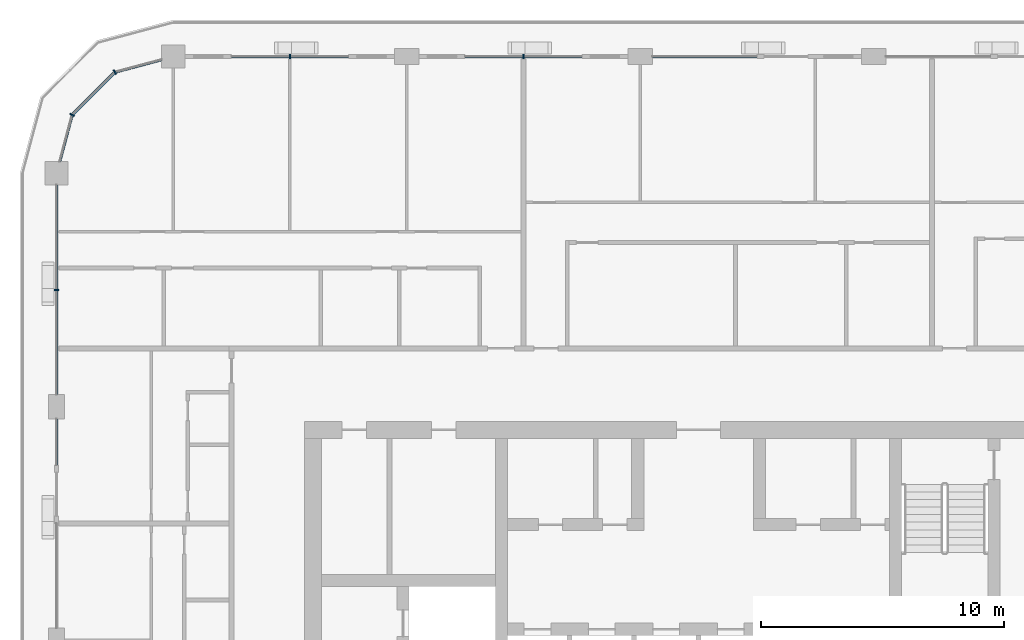
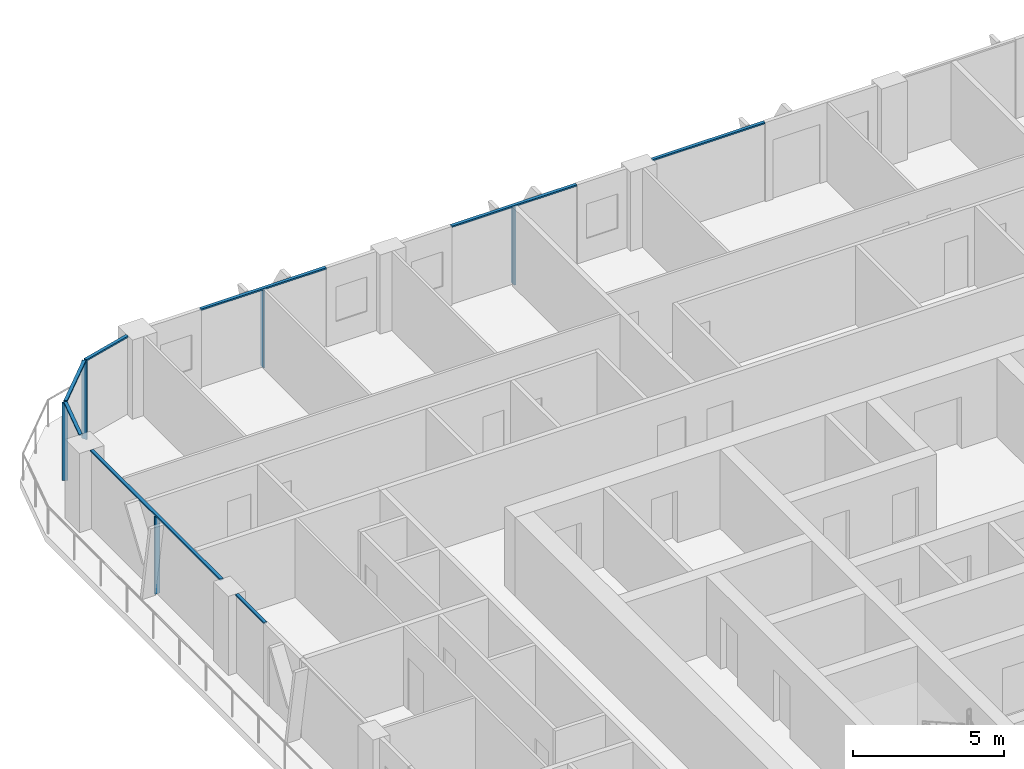
# One storey, part 5 of 23: 13 members, 6 elements without a shape of their own.
"""IFC4 building model written with IfcOpenShell, lengths in metres."""

from ifc_helpers import new_model, si_unit, direction, frame, origin, origin_2d, place, context, subcontext, project, spatial, rectangle, extrude, material, layer, layer_set, material_profile, profile_set, type_object, element, aggregate, save


model = new_model("IFC4")

# Units and contexts
model_context = context("Model", 3, precision=1e-05, world=origin(), true_north=direction((0.0, 1.0)))
body_context = subcontext(model_context, "Body", "Model", "MODEL_VIEW")
ifc_project = project(units=[si_unit("LENGTHUNIT", "METRE"), si_unit("AREAUNIT", "SQUARE_METRE"), si_unit("VOLUMEUNIT", "CUBIC_METRE"), si_unit("PLANEANGLEUNIT", "RADIAN"), si_unit("MASSUNIT", "GRAM", prefix="KILO")], contexts=[model_context])

# Site, building, storey
site_placement = place(None, origin())
site = spatial("IfcSite", under=ifc_project, at=site_placement, CompositionType="ELEMENT")
building_placement = place(site_placement, origin())
building = spatial("IfcBuilding", under=site, at=building_placement, Name="Madar Terraces", CompositionType="ELEMENT")
storey_placement = place(building_placement, frame((0.0, 0.0, 215.800048828125)))
storey = spatial("IfcBuildingStorey", under=building, at=storey_placement, Name="L56", CompositionType="ELEMENT", Elevation=215.800048828125)

# Curtain wall, member
ifc_material_1 = material(Name="Glass, ceramic frit dark grey, with black aluminium frame", Category="aluminium")
ifc_layer = layer(ifc_material_1, 0.199951171875)
ifc_layer_set = layer_set([ifc_layer], Name="Facade curtain wall, fritted glass")
curtain_wall_type = type_object("IfcCurtainWallType", Name="Facade curtain wall, fritted glass", PredefinedType="NOTDEFINED", material=ifc_layer_set)
curtain_wall_1_placement = place(storey_placement, origin())
curtain_wall_1 = element("IfcCurtainWall", 1, at=curtain_wall_1_placement, inside=storey, type_object=curtain_wall_type, Name="Outer skin curtain wall north bay 4", PredefinedType="NOTDEFINED")
ifc_material_2 = material(Name="Aluminium, black anodised", Category="aluminium")
ifc_material_profile_1 = material_profile(ifc_material_2, rectangle(XDim=0.199951171875, YDim=0.06005859375, at=origin_2d()), Name="Facade mullion 60x200")
ifc_profile_set_1 = profile_set([ifc_material_profile_1], Name="Aluminium, black anodised")
member_type_1 = type_object("IfcMemberType", Name="Facade mullion 60x200", PredefinedType="MULLION", material=ifc_profile_set_1)
member_1_placement = place(storey_placement, frame((24.0, 52.800048828125, 0.0), z_axis=(0.0, 0.0, 1.0), x_axis=(0.0, -1.0, 0.0)))
member_1 = element("IfcMember", 2, at=member_1_placement, type_object=member_type_1, Name="Mullion 1", PredefinedType="MULLION", context=body_context, shape_type="SweptSolid", body=[
    extrude(rectangle(XDim=0.199951171875, YDim=0.06005859375, at=origin_2d()), origin(), (0.0, 0.0, 1.0), 3.139892578125),
])

curtain_wall_2_placement = place(storey_placement, origin())
curtain_wall_2 = element("IfcCurtainWall", 3, at=curtain_wall_2_placement, inside=storey, type_object=curtain_wall_type, Name="Outer skin curtain wall north bay 5", PredefinedType="NOTDEFINED")
member_2_placement = place(storey_placement, frame((14.39990234375, 52.800048828125, 0.0), z_axis=(0.0, 0.0, 1.0), x_axis=(0.0, -1.0, 0.0)))
member_2 = element("IfcMember", 4, at=member_2_placement, type_object=member_type_1, Name="Mullion 1", PredefinedType="MULLION", context=body_context, shape_type="SweptSolid", body=[
    extrude(rectangle(XDim=0.199951171875, YDim=0.06005859375, at=origin_2d()), origin(), (0.0, 0.0, 1.0), 3.139892578125),
])

curtain_wall_3_placement = place(storey_placement, origin())
curtain_wall_3 = element("IfcCurtainWall", 5, at=curtain_wall_3_placement, inside=storey, type_object=curtain_wall_type, Name="Outer skin curtain wall west bay 1", PredefinedType="NOTDEFINED")
member_3_placement = place(storey_placement, frame((4.800048828125, 43.199951171875, 0.0), z_axis=(0.0, 0.0, 1.0), x_axis=(1.0, 0.0, 0.0)))
member_3 = element("IfcMember", 6, at=member_3_placement, type_object=member_type_1, Name="Mullion 1", PredefinedType="MULLION", context=body_context, shape_type="SweptSolid", body=[
    extrude(rectangle(XDim=0.199951171875, YDim=0.06005859375, at=origin_2d()), origin(), (0.0, 0.0, 1.0), 3.139892578125),
])

# Curtain wall, members
curtain_wall_4_placement = place(storey_placement, origin())
curtain_wall_4 = element("IfcCurtainWall", 7, at=curtain_wall_4_placement, inside=storey, type_object=curtain_wall_type, Name="Outer skin curtain wall north-west corner", PredefinedType="NOTDEFINED")
member_4_placement = place(storey_placement, frame((7.199951171875, 52.156982421875, 0.0), z_axis=(0.0, 0.0, 1.0), x_axis=(0.499999989586, -0.866025409797, 0.0)))
member_4 = element("IfcMember", 8, at=member_4_placement, type_object=member_type_1, Name="Mullion 1", PredefinedType="MULLION", context=body_context, shape_type="SweptSolid", body=[
    extrude(rectangle(XDim=0.199951171875, YDim=0.06005859375, at=origin_2d()), origin(), (0.0, 0.0, 1.0), 3.139892578125),
])
member_5_placement = place(storey_placement, frame((5.443115234375, 50.39990234375, 0.0), z_axis=(0.0, 0.0, 1.0), x_axis=(0.866025409797, -0.499999989586, 0.0)))
member_5 = element("IfcMember", 9, at=member_5_placement, type_object=member_type_1, Name="Mullion 2", PredefinedType="MULLION", context=body_context, shape_type="SweptSolid", body=[
    extrude(rectangle(XDim=0.199951171875, YDim=0.06005859375, at=origin_2d()), origin(), (0.0, 0.0, 1.0), 3.139892578125),
])

# Curtain wall, member
curtain_wall_5_placement = place(storey_placement, origin())
curtain_wall_5 = element("IfcCurtainWall", 10, at=curtain_wall_5_placement, inside=storey, type_object=curtain_wall_type, Name="Outer skin curtain wall north bay 3", PredefinedType="NOTDEFINED")
ifc_material_3 = material(Name="Aluminium, black anodised", Category="aluminium")
ifc_material_profile_2 = material_profile(ifc_material_3, rectangle(XDim=0.1201171875, YDim=0.06005859375, at=origin_2d()), Name="Facade transom 60x120")
ifc_profile_set_2 = profile_set([ifc_material_profile_2], Name="Aluminium, black anodised")
member_type_2 = type_object("IfcMemberType", Name="Facade transom 60x120", PredefinedType="USERDEFINED", material=ifc_profile_set_2)
member_6_placement = place(storey_placement, frame((33.60009765625, 52.800048828125, 3.169921875), z_axis=(-1.0, 0.0, 0.0), x_axis=(0.0, -1.0, 0.0)))
member_6 = element("IfcMember", 11, at=member_6_placement, type_object=member_type_2, Name="Transom 1", ObjectType="TRANSOM", PredefinedType="USERDEFINED", context=body_context, shape_type="SweptSolid", body=[
    extrude(rectangle(XDim=0.1201171875, YDim=0.06005859375, at=origin_2d()), origin(), (0.0, 0.0, 1.0), 4.300048828125),
])
aggregate(curtain_wall_5, [member_6])

# Member
member_7_placement = place(storey_placement, frame((26.39990234375, 52.800048828125, 3.169921875), z_axis=(-1.0, 0.0, 0.0), x_axis=(0.0, -1.0, 0.0)))
member_7 = element("IfcMember", 12, at=member_7_placement, type_object=member_type_2, Name="Transom 1", ObjectType="TRANSOM", PredefinedType="USERDEFINED", context=body_context, shape_type="SweptSolid", body=[
    extrude(rectangle(XDim=0.1201171875, YDim=0.06005859375, at=origin_2d()), origin(), (0.0, 0.0, 1.0), 4.7998046875),
])

aggregate(curtain_wall_1, [member_1, member_7])

member_8_placement = place(storey_placement, frame((16.800048828125, 52.800048828125, 3.169921875), z_axis=(-1.0, 0.0, 0.0), x_axis=(0.0, -1.0, 0.0)))
member_8 = element("IfcMember", 13, at=member_8_placement, type_object=member_type_2, Name="Transom 1", ObjectType="TRANSOM", PredefinedType="USERDEFINED", context=body_context, shape_type="SweptSolid", body=[
    extrude(rectangle(XDim=0.1201171875, YDim=0.06005859375, at=origin_2d()), origin(), (0.0, 0.0, 1.0), 4.800048828125),
])

aggregate(curtain_wall_2, [member_2, member_8])

member_9_placement = place(storey_placement, frame((4.800048828125, 47.52490234375, 3.169921875), z_axis=(0.0, -1.0, 0.0), x_axis=(1.0, 0.0, 0.0)))
member_9 = element("IfcMember", 14, at=member_9_placement, type_object=member_type_2, Name="Transom 1", ObjectType="TRANSOM", PredefinedType="USERDEFINED", context=body_context, shape_type="SweptSolid", body=[
    extrude(rectangle(XDim=0.1201171875, YDim=0.06005859375, at=origin_2d()), origin(), (0.0, 0.0, 1.0), 8.625),
])

aggregate(curtain_wall_3, [member_3, member_9])

# Curtain wall, member
curtain_wall_6_placement = place(storey_placement, origin())
curtain_wall_6 = element("IfcCurtainWall", 15, at=curtain_wall_6_placement, inside=storey, type_object=curtain_wall_type, Name="Outer skin curtain wall west bay 2", PredefinedType="NOTDEFINED")
member_10_placement = place(storey_placement, frame((4.800048828125, 37.89990234375, 3.169921875), z_axis=(0.0, -1.0, 0.0), x_axis=(1.0, 0.0, 0.0)))
member_10 = element("IfcMember", 16, at=member_10_placement, type_object=member_type_2, Name="Transom 1", ObjectType="TRANSOM", PredefinedType="USERDEFINED", context=body_context, shape_type="SweptSolid", body=[
    extrude(rectangle(XDim=0.1201171875, YDim=0.06005859375, at=origin_2d()), origin(), (0.0, 0.0, 1.0), 1.89990234375),
])
aggregate(curtain_wall_6, [member_10])

# Member
member_11_placement = place(storey_placement, frame((9.125, 52.672607421875, 3.169921875), z_axis=(-0.965953602414, -0.258715360935, 0.0), x_axis=(0.258715360935, -0.965953602414, 0.0)))
member_11 = element("IfcMember", 17, at=member_11_placement, type_object=member_type_2, Name="Transom 1", ObjectType="TRANSOM", PredefinedType="USERDEFINED", context=body_context, shape_type="SweptSolid", body=[
    extrude(rectangle(XDim=0.1201171875, YDim=0.06005859375, at=origin_2d()), origin(), (0.0, 0.0, 1.0), 1.962890625),
])

member_12_placement = place(storey_placement, frame((7.1787109375, 52.1357421875, 3.169921875), z_axis=(-0.707056433593, -0.707157125196, 0.0), x_axis=(0.707157125196, -0.707056433593, 0.0)))
member_12 = element("IfcMember", 18, at=member_12_placement, type_object=member_type_2, Name="Transom 2", ObjectType="TRANSOM", PredefinedType="USERDEFINED", context=body_context, shape_type="SweptSolid", body=[
    extrude(rectangle(XDim=0.1201171875, YDim=0.06005859375, at=origin_2d()), origin(), (0.0, 0.0, 1.0), 2.424560546875),
])

member_13_placement = place(storey_placement, frame((5.435302734375, 50.37109375, 3.169921875), z_axis=(-0.258831412352, -0.96592251241, 0.0), x_axis=(0.96592251241, -0.258831412352, 0.0)))
member_13 = element("IfcMember", 19, at=member_13_placement, type_object=member_type_2, Name="Transom 3", ObjectType="TRANSOM", PredefinedType="USERDEFINED", context=body_context, shape_type="SweptSolid", body=[
    extrude(rectangle(XDim=0.1201171875, YDim=0.06005859375, at=origin_2d()), origin(), (0.0, 0.0, 1.0), 1.962890625),
])

aggregate(curtain_wall_4, [member_4, member_11, member_5, member_12, member_13])

save(model, "model.ifc")
